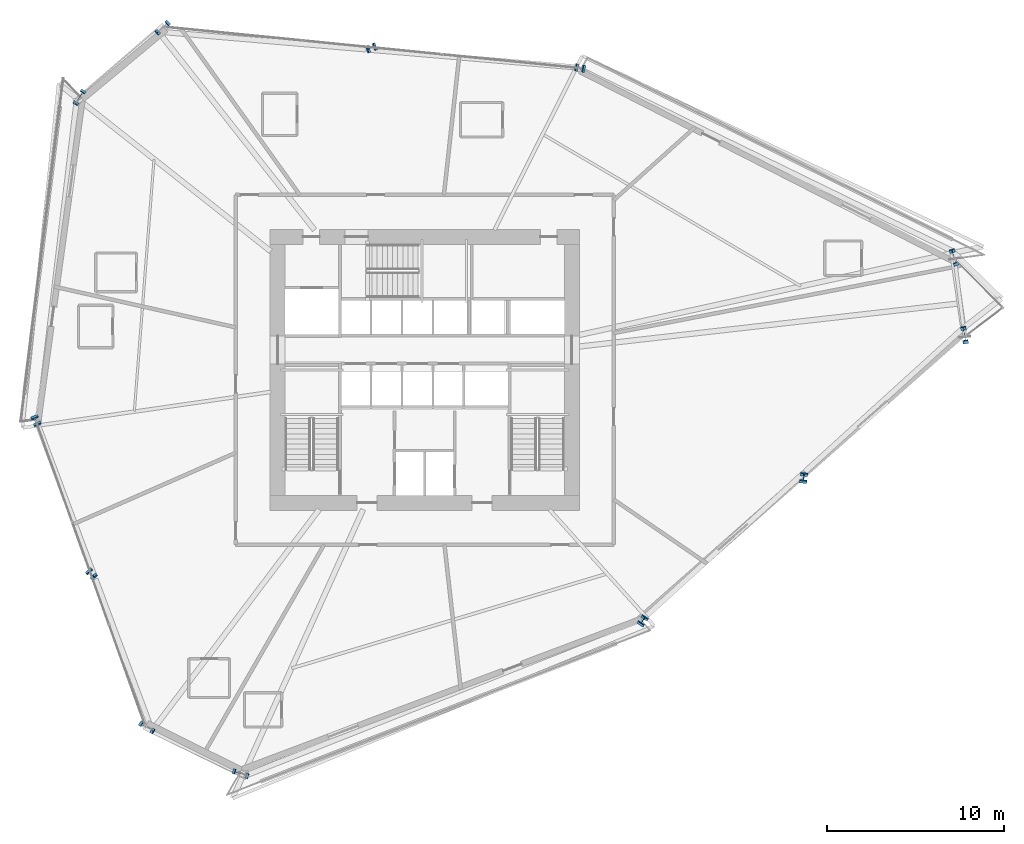
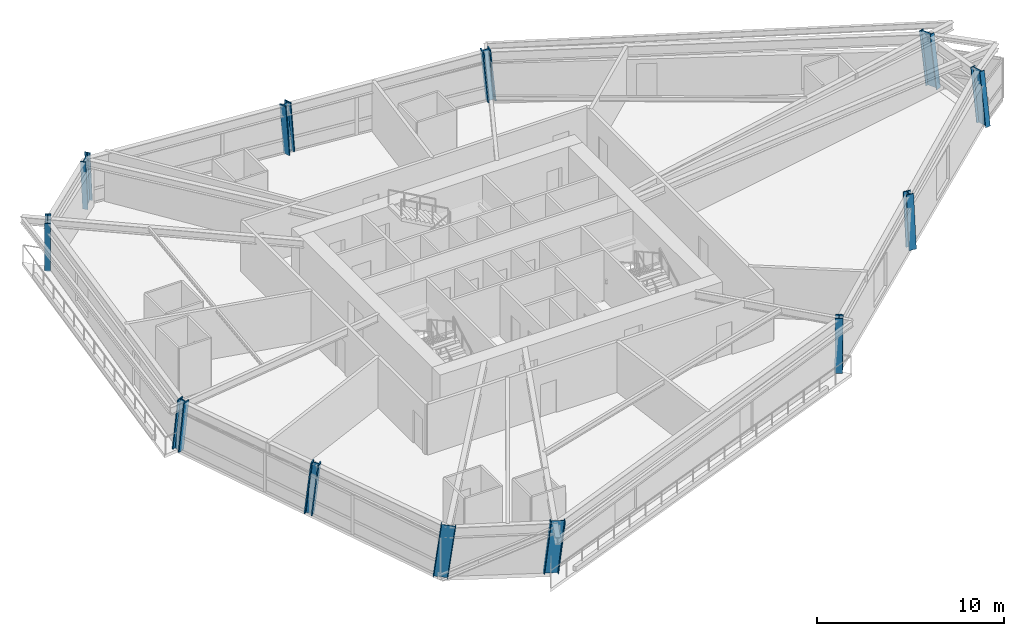
# One storey, part 1 of 24: 12 columns.
"""IFC4 building model written with IfcOpenShell, lengths in metres."""

from ifc_helpers import new_model, si_unit, direction, frame, origin, origin_2d, place, context, subcontext, project, spatial, i_section, extrude, source, transform, mapped, material, material_profile, profile_set, type_object, element, save


model = new_model("IFC4")

# Units and contexts
model_context = context("Model", 3, precision=1e-05, world=origin(), true_north=direction((0.0, 1.0)))
body_context = subcontext(model_context, "Body", "Model", "MODEL_VIEW")
ifc_project = project(units=[si_unit("LENGTHUNIT", "METRE"), si_unit("AREAUNIT", "SQUARE_METRE"), si_unit("VOLUMEUNIT", "CUBIC_METRE"), si_unit("PLANEANGLEUNIT", "RADIAN"), si_unit("MASSUNIT", "GRAM", prefix="KILO")], contexts=[model_context])

# Site, building, storey
site_placement = place(None, origin())
site = spatial("IfcSite", under=ifc_project, at=site_placement, CompositionType="ELEMENT")
building_placement = place(site_placement, origin())
building = spatial("IfcBuilding", under=site, at=building_placement, Name="Olszyna Solenne Hotel", CompositionType="ELEMENT")
storey_placement = place(building_placement, frame((0.0, 0.0, 64.800048828125)))
storey = spatial("IfcBuildingStorey", under=building, at=storey_placement, Name="L16", CompositionType="ELEMENT", Elevation=64.800048828125)

# Columns
ifc_material = material(Name="Steel S460M", Category="steel")
ifc_material_profile_1 = material_profile(ifc_material, i_section(OverallWidth=0.424072265625, OverallDepth=0.47412109375, WebThickness=0.04296875, FlangeThickness=0.068115234375, at=origin_2d()), Name="HD 400x634", Category="load-bearing")
ifc_profile_set_1 = profile_set([ifc_material_profile_1], Name="Steel S460M")
column_type_1 = type_object("IfcColumnType", Name="COL-T1", PredefinedType="COLUMN", material=ifc_profile_set_1)
shared_shape_1 = source(origin(), body_context, "Body", "SweptSolid", [
    extrude(i_section(OverallWidth=0.424072265625, OverallDepth=0.47412109375, WebThickness=0.04296875, FlangeThickness=0.068115234375, at=origin_2d()), origin(), (0.0, 0.0, 1.0), 3.39990234375),
])
column_1_placement = place(storey_placement, frame((35.0341796875, 44.8330078125, 0.0), z_axis=(-0.08817834006, -0.03181026437, 0.995596648962), x_axis=(0.339343270356, -0.940662609475, 0.0)))
element("IfcColumn", 1, at=column_1_placement, inside=storey, type_object=column_type_1, Name="Perimeter framed-tube column COL-T1 C-L16-04", PredefinedType="COLUMN", context=body_context, shape_type="MappedRepresentation", body=[
    mapped(shared_shape_1, transform((0.0, 0.0, 0.0), x_axis=(1.0, 0.0, 0.0), y_axis=(0.0, 1.0, 0.0), z_axis=(0.0, 0.0, 1.0), scale=1.0)),
])
shared_shape_2 = source(origin(), body_context, "Body", "SweptSolid", [
    extrude(i_section(OverallWidth=0.424072265625, OverallDepth=0.47412109375, WebThickness=0.04296875, FlangeThickness=0.068115234375, at=origin_2d()), origin(), (0.0, 0.0, 1.0), 3.3994140625),
])
column_2_placement = place(storey_placement, frame((50.305419921875, 12.353515625, 0.0), z_axis=(0.050128014439, 0.077418337487, 0.995737708028), x_axis=(-0.839402988902, 0.543509541979, 0.0)))
element("IfcColumn", 2, at=column_2_placement, inside=storey, type_object=column_type_1, Name="Perimeter framed-tube column COL-T1 C-L16-11", PredefinedType="COLUMN", context=body_context, shape_type="MappedRepresentation", body=[
    mapped(shared_shape_2, transform((0.0, 0.0, 0.0), x_axis=(1.0, 0.0, 0.0), y_axis=(0.0, 1.0, 0.0), z_axis=(0.0, 0.0, 1.0), scale=1.0)),
])
shared_shape_3 = source(origin(), body_context, "Body", "SweptSolid", [
    extrude(i_section(OverallWidth=0.424072265625, OverallDepth=0.47412109375, WebThickness=0.04296875, FlangeThickness=0.068115234375, at=origin_2d()), origin(), (0.0, 0.0, 1.0), 3.40625),
])
column_3_placement = place(storey_placement, frame((59.431640625, 20.413330078125, 0.0), z_axis=(0.013331157464, 0.110877960196, 0.993744614166), x_axis=(-0.992849480602, 0.119372982154, 0.0)))
element("IfcColumn", 3, at=column_3_placement, inside=storey, type_object=column_type_1, Name="Perimeter framed-tube column COL-T1 C-L16-12", PredefinedType="COLUMN", context=body_context, shape_type="MappedRepresentation", body=[
    mapped(shared_shape_3, transform((0.0, 0.0, 0.0), x_axis=(1.0, 0.0, 0.0), y_axis=(0.0, 1.0, 0.0), z_axis=(0.0, 0.0, 1.0), scale=1.0)),
])
ifc_material_profile_2 = material_profile(ifc_material, i_section(OverallWidth=0.30810546875, OverallDepth=0.81396484375, WebThickness=0.02099609375, FlangeThickness=0.0400390625, at=origin_2d()), Name="HEM 800", Category="load-bearing")
ifc_profile_set_2 = profile_set([ifc_material_profile_2], Name="Steel S460M")
column_type_2 = type_object("IfcColumnType", Name="COL-K1", PredefinedType="COLUMN", material=ifc_profile_set_2)
shared_shape_4 = source(origin(), body_context, "Body", "SweptSolid", [
    extrude(i_section(OverallWidth=0.30810546875, OverallDepth=0.81396484375, WebThickness=0.02099609375, FlangeThickness=0.0400390625, at=origin_2d()), origin(), (0.0, 0.0, 1.0), 3.4091796875),
])
column_4_placement = place(storey_placement, frame((23.22412109375, 46.00634765625, 0.0), z_axis=(-0.087656538504, -0.079922138048, 0.992939465983), x_axis=(0.673753857686, -0.738955843913, 0.0)))
element("IfcColumn", 4, at=column_4_placement, inside=storey, type_object=column_type_2, Name="Perimeter framed-tube column COL-K1 C-L16-05", PredefinedType="COLUMN", context=body_context, shape_type="MappedRepresentation", body=[
    mapped(shared_shape_4, transform((0.0, 0.0, 0.0), x_axis=(1.0, 0.0, 0.0), y_axis=(0.0, 1.0, 0.0), z_axis=(0.0, 0.0, 1.0), scale=1.0)),
])
shared_shape_5 = source(origin(), body_context, "Body", "SweptSolid", [
    extrude(i_section(OverallWidth=0.30810546875, OverallDepth=0.81396484375, WebThickness=0.02099609375, FlangeThickness=0.0400390625, at=origin_2d()), origin(), (0.0, 0.0, 1.0), 3.406005859375),
])
column_5_placement = place(storey_placement, frame((27.518310546875, 3.765869140625, 0.0), z_axis=(0.10458259248, -0.036198909666, 0.993857193106), x_axis=(0.327088317834, 0.944993773703, 0.0)))
element("IfcColumn", 5, at=column_5_placement, inside=storey, type_object=column_type_2, Name="Perimeter framed-tube column COL-K1 C-L16-10", PredefinedType="COLUMN", context=body_context, shape_type="MappedRepresentation", body=[
    mapped(shared_shape_5, transform((0.0, 0.0, 0.0), x_axis=(1.0, 0.0, 0.0), y_axis=(0.0, 1.0, 0.0), z_axis=(0.0, 0.0, 1.0), scale=1.0)),
])
shared_shape_6 = source(origin(), body_context, "Body", "SweptSolid", [
    extrude(i_section(OverallWidth=0.30810546875, OverallDepth=0.81396484375, WebThickness=0.02099609375, FlangeThickness=0.0400390625, at=origin_2d()), origin(), (0.0, 0.0, 1.0), 3.405029296875),
])
column_6_placement = place(storey_placement, frame((18.49658203125, 42.0673828125, 0.0), z_axis=(-0.057575852548, -0.091562096767, 0.994133493872), x_axis=(0.84654266508, -0.532320877102, 0.0)))
element("IfcColumn", 6, at=column_6_placement, inside=storey, type_object=column_type_2, Name="Perimeter framed-tube column COL-K1 C-L16-06", PredefinedType="COLUMN", context=body_context, shape_type="MappedRepresentation", body=[
    mapped(shared_shape_6, transform((0.0, 0.0, 0.0), x_axis=(1.0, 0.0, 0.0), y_axis=(0.0, 1.0, 0.0), z_axis=(0.0, 0.0, 1.0), scale=1.0)),
])
shared_shape_7 = source(origin(), body_context, "Body", "SweptSolid", [
    extrude(i_section(OverallWidth=0.424072265625, OverallDepth=0.47412109375, WebThickness=0.04296875, FlangeThickness=0.068115234375, at=origin_2d()), origin(), (0.0, 0.0, 1.0), 3.406005859375),
])
column_7_placement = place(storey_placement, frame((19.09814453125, 15.096923828125, 0.0), z_axis=(0.07368847903, -0.082505291209, 0.993862608704), x_axis=(0.745834176897, 0.666131654084, 0.0)))
element("IfcColumn", 7, at=column_7_placement, inside=storey, type_object=column_type_1, Name="Perimeter framed-tube column COL-T1 C-L16-08", PredefinedType="COLUMN", context=body_context, shape_type="MappedRepresentation", body=[
    mapped(shared_shape_7, transform((0.0, 0.0, 0.0), x_axis=(1.0, 0.0, 0.0), y_axis=(0.0, 1.0, 0.0), z_axis=(0.0, 0.0, 1.0), scale=1.0)),
])
shared_shape_8 = source(origin(), body_context, "Body", "SweptSolid", [
    extrude(i_section(OverallWidth=0.424072265625, OverallDepth=0.47412109375, WebThickness=0.04296875, FlangeThickness=0.068115234375, at=origin_2d()), origin(), (0.0, 0.0, 1.0), 3.39892578125),
])
column_8_placement = place(storey_placement, frame((46.843994140625, 43.65966796875, 0.0), z_axis=(-0.088495926026, 0.01659298613, 0.995938323335), x_axis=(-0.18428853505, -0.982872186934, 0.0)))
element("IfcColumn", 8, at=column_8_placement, inside=storey, type_object=column_type_1, Name="Perimeter framed-tube column COL-T1 C-L16-03", PredefinedType="COLUMN", context=body_context, shape_type="MappedRepresentation", body=[
    mapped(shared_shape_8, transform((0.0, 0.0, 0.0), x_axis=(1.0, 0.0, 0.0), y_axis=(0.0, 1.0, 0.0), z_axis=(0.0, 0.0, 1.0), scale=1.0)),
])
shared_shape_9 = source(origin(), body_context, "Body", "SweptSolid", [
    extrude(i_section(OverallWidth=0.424072265625, OverallDepth=0.47412109375, WebThickness=0.04296875, FlangeThickness=0.068115234375, at=origin_2d()), origin(), (0.0, 0.0, 1.0), 3.404296875),
])
column_9_placement = place(storey_placement, frame((15.98291015625, 23.783203125, 0.0), z_axis=(0.041236988062, -0.097821307332, 0.99434928604), x_axis=(0.921469976901, 0.388449587037, 0.0)))
element("IfcColumn", 9, at=column_9_placement, inside=storey, type_object=column_type_1, Name="Perimeter framed-tube column COL-T1 C-L16-07", PredefinedType="COLUMN", context=body_context, shape_type="MappedRepresentation", body=[
    mapped(shared_shape_9, transform((0.0, 0.0, 0.0), x_axis=(1.0, 0.0, 0.0), y_axis=(0.0, 1.0, 0.0), z_axis=(0.0, 0.0, 1.0), scale=1.0)),
])
shared_shape_10 = source(origin(), body_context, "Body", "SweptSolid", [
    extrude(i_section(OverallWidth=0.30810546875, OverallDepth=0.81396484375, WebThickness=0.02099609375, FlangeThickness=0.0400390625, at=origin_2d()), origin(), (0.0, 0.0, 1.0), 3.42138671875),
])
column_10_placement = place(storey_placement, frame((68.557861328125, 28.47314453125, 0.0), z_axis=(-0.023261709787, 0.143780200062, 0.989336215312), x_axis=(-0.987163991357, -0.159709906294, 0.0)))
element("IfcColumn", 10, at=column_10_placement, inside=storey, type_object=column_type_2, Name="Perimeter framed-tube column COL-K1 C-L16-01", PredefinedType="COLUMN", context=body_context, shape_type="MappedRepresentation", body=[
    mapped(shared_shape_10, transform((0.0, 0.0, 0.0), x_axis=(1.0, 0.0, 0.0), y_axis=(0.0, 1.0, 0.0), z_axis=(0.0, 0.0, 1.0), scale=1.0)),
])
shared_shape_11 = source(origin(), body_context, "Body", "SweptSolid", [
    extrude(i_section(OverallWidth=0.30810546875, OverallDepth=0.81396484375, WebThickness=0.02099609375, FlangeThickness=0.0400390625, at=origin_2d()), origin(), (0.0, 0.0, 1.0), 3.4169921875),
])
column_11_placement = place(storey_placement, frame((67.98974609375, 32.876708984375, 0.0), z_axis=(-0.041868074629, 0.130105399145, 0.99061579305), x_axis=(-0.951925165949, -0.306330668449, 0.0)))
element("IfcColumn", 11, at=column_11_placement, inside=storey, type_object=column_type_2, Name="Perimeter framed-tube column COL-K1 C-L16-02", PredefinedType="COLUMN", context=body_context, shape_type="MappedRepresentation", body=[
    mapped(shared_shape_11, transform((0.0, 0.0, 0.0), x_axis=(1.0, 0.0, 0.0), y_axis=(0.0, 1.0, 0.0), z_axis=(0.0, 0.0, 1.0), scale=1.0)),
])
shared_shape_12 = source(origin(), body_context, "Body", "SweptSolid", [
    extrude(i_section(OverallWidth=0.30810546875, OverallDepth=0.81396484375, WebThickness=0.02099609375, FlangeThickness=0.0400390625, at=origin_2d()), origin(), (0.0, 0.0, 1.0), 3.411865234375),
])
column_12_placement = place(storey_placement, frame((22.213623046875, 6.41064453125, 0.0), z_axis=(0.105901272253, -0.067118509036, 0.992108878239), x_axis=(0.535323603489, 0.844647050281, 0.0)))
element("IfcColumn", 12, at=column_12_placement, inside=storey, type_object=column_type_2, Name="Perimeter framed-tube column COL-K1 C-L16-09", PredefinedType="COLUMN", context=body_context, shape_type="MappedRepresentation", body=[
    mapped(shared_shape_12, transform((0.0, 0.0, 0.0), x_axis=(1.0, 0.0, 0.0), y_axis=(0.0, 1.0, 0.0), z_axis=(0.0, 0.0, 1.0), scale=1.0)),
])

save(model, "model.ifc")
